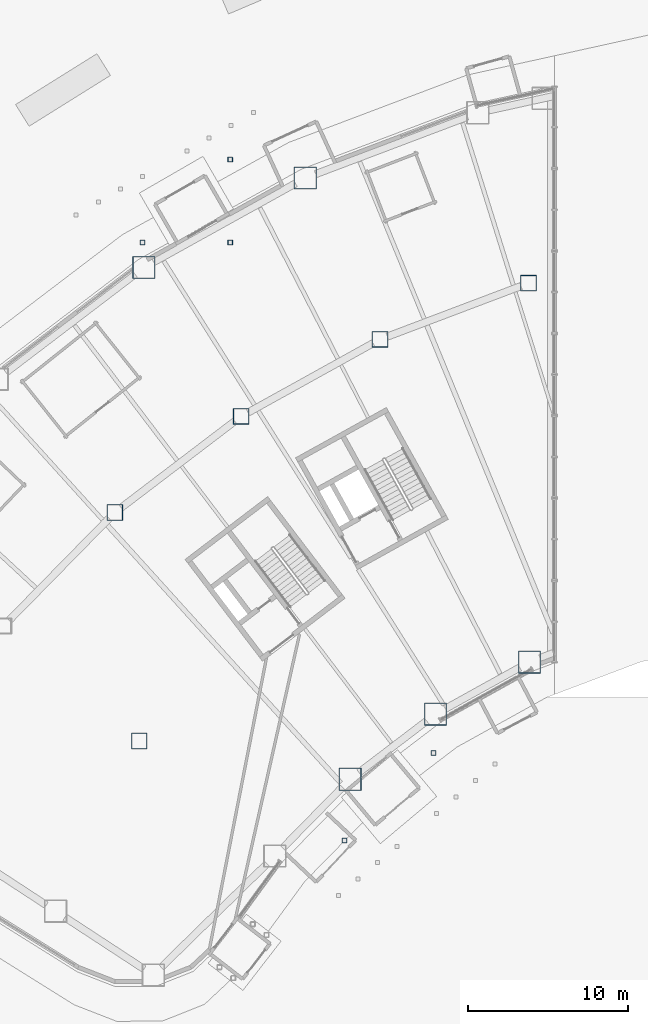
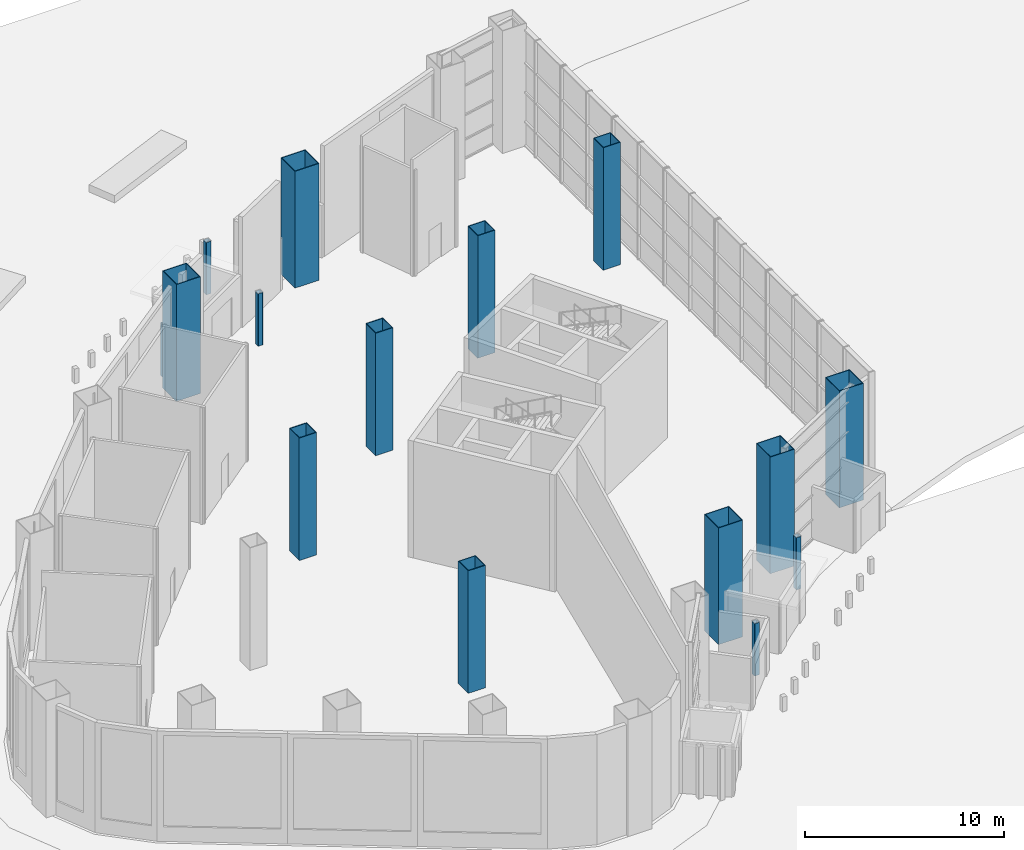
# One storey, part 5 of 45: 15 columns.
"""IFC4 building model written with IfcOpenShell, lengths in metres."""

import ifcopenshell
import ifcopenshell.guid

model = None  # the IFC model being written
_history = None  # IfcOwnerHistory: only IFC2X3 demands one
_inside = {}  # id of a spatial element -> (the spatial element, [elements in it])
_under = {}  # id of a project, library or spatial element -> (it, [spatial elements below it])
_declared = {}  # id of a project -> (the project, [libraries it declares])
_typed = {}  # id of a type object -> (the type object, [elements of that type])
_made_of = {}  # id of a material, layer set ... -> (it, [elements and type objects made of it])


def new_model(schema):
    """Start an empty IFC model of exactly this schema.

    Asked for "IFC4X3", IfcOpenShell would pick the latest addendum, in which some entities
    have other attributes; the version numbers below select the first issue.
    IFC2X3 requires an IfcOwnerHistory on every rooted entity: one is made here for all.
    """
    global model, _history
    if schema == "IFC4X3":
        model = ifcopenshell.file(schema_version=(4, 3, 0, 0))
    else:
        model = ifcopenshell.file(schema=schema)
    _inside.clear()
    _under.clear()
    _declared.clear()
    _typed.clear()
    _made_of.clear()
    _history = None
    if model.schema == "IFC2X3":
        org = make("IfcOrganization", Name="unknown")
        user = make(
            "IfcPersonAndOrganization",
            ThePerson=make("IfcPerson", FamilyName="unknown"),
            TheOrganization=org,
        )
        app = make(
            "IfcApplication",
            ApplicationDeveloper=org,
            Version="unknown",
            ApplicationFullName="unknown",
            ApplicationIdentifier="unknown",
        )
        _history = make(
            "IfcOwnerHistory",
            OwningUser=user,
            OwningApplication=app,
            ChangeAction="ADDED",
            CreationDate=0,
        )
    return model


def make(cls, **values):
    """One entity of the class cls with the attributes given. An attribute that is None is left unset."""
    return model.create_entity(
        cls, **{name: value for name, value in values.items() if value is not None}
    )


def rooted(cls, **values):
    """An entity with a GlobalId (a new one), such as an element, a storey or a relation."""
    return make(cls, GlobalId=ifcopenshell.guid.new(), OwnerHistory=_history, **values)


def si_unit(unit_type, name, prefix=None):
    """IfcSIUnit, for example si_unit("LENGTHUNIT", "METRE", prefix="MILLI")."""
    return make("IfcSIUnit", UnitType=unit_type, Prefix=prefix, Name=name)


def assignment(units):
    """IfcUnitAssignment: the units of a project."""
    return None if units is None else make("IfcUnitAssignment", Units=units)


def point(xyz):
    """IfcCartesianPoint."""
    return None if xyz is None else make("IfcCartesianPoint", Coordinates=xyz)


def direction(xyz):
    """IfcDirection."""
    return None if xyz is None else make("IfcDirection", DirectionRatios=xyz)


def frame(location, z_axis=None, x_axis=None):
    """IfcAxis2Placement3D, a coordinate frame: its origin and axes. An axis left out is left unset."""
    return make(
        "IfcAxis2Placement3D",
        Location=point(location),
        Axis=direction(z_axis),
        RefDirection=direction(x_axis),
    )


def frame_2d(location, x_axis=None):
    """IfcAxis2Placement2D, a coordinate frame in the plane: its origin and x axis."""
    return make(
        "IfcAxis2Placement2D", Location=point(location), RefDirection=direction(x_axis)
    )


def origin():
    """The frame at (0, 0, 0) with its axes left unset."""
    return frame((0.0, 0.0, 0.0))


def origin_2d():
    """The frame at (0, 0) in the plane with its x axis left unset."""
    return frame_2d((0.0, 0.0))


def place(relative_to, where):
    """IfcLocalPlacement: puts the frame where relative to a parent placement (None: the world)."""
    return make(
        "IfcLocalPlacement", PlacementRelTo=relative_to, RelativePlacement=where
    )


def context(
    kind, dimensions, precision=None, world=None, true_north=None, identifier=None
):
    """IfcGeometricRepresentationContext, for example the 3D "Model" context."""
    return make(
        "IfcGeometricRepresentationContext",
        ContextIdentifier=identifier,
        ContextType=kind,
        CoordinateSpaceDimension=dimensions,
        Precision=precision,
        WorldCoordinateSystem=world,
        TrueNorth=true_north,
    )


def subcontext(parent, identifier, kind, view, scale=None):
    """IfcGeometricRepresentationSubContext, for example "Body" below "Model"."""
    return make(
        "IfcGeometricRepresentationSubContext",
        ContextIdentifier=identifier,
        ContextType=kind,
        ParentContext=parent,
        TargetScale=scale,
        TargetView=view,
    )


def project(units=None, contexts=None):
    """IfcProject with its units and contexts."""
    return rooted(
        "IfcProject",
        Name="project",
        RepresentationContexts=contexts,
        UnitsInContext=assignment(units),
    )


def spatial(cls, under=None, at=None, **own):
    """A site, building, storey or space (cls), placed at a placement, below another one or the project."""
    s = rooted(cls, ObjectPlacement=at, **own)
    if under is not None:
        _under.setdefault(under.id(), (under, []))[1].append(s)
    return s


def profile(cls, at=None, kind="AREA", **sizes):
    """A parametric profile (cls). Its sizes go by their IFC names, for example OverallWidth=200.0."""
    return make(cls, ProfileType=kind, Position=at, **sizes)


def hollow_rectangle(**sizes):
    """IfcRectangleHollowProfileDef."""
    return profile("IfcRectangleHollowProfileDef", **sizes)


def extrude(swept, where, along, depth):
    """IfcExtrudedAreaSolid: the profile swept, set in the frame where, extruded along a direction by depth."""
    return make(
        "IfcExtrudedAreaSolid",
        SweptArea=swept,
        Position=where,
        ExtrudedDirection=direction(along),
        Depth=depth,
    )


def shape(context_of_items, identifier, shape_type, items):
    """IfcShapeRepresentation: the items that make up one representation, for example the "Body"."""
    return make(
        "IfcShapeRepresentation",
        ContextOfItems=context_of_items,
        RepresentationIdentifier=identifier,
        RepresentationType=shape_type,
        Items=items,
    )


def material(Name=None, Category=None):
    """IfcMaterial."""
    return make("IfcMaterial", Name=Name, Category=Category)


def material_profile(
    of_material, cross_section, Name=None, Category=None, Priority=None
):
    """IfcMaterialProfile: a cross section and its material."""
    return make(
        "IfcMaterialProfile",
        Name=Name,
        Material=of_material,
        Profile=cross_section,
        Priority=Priority,
        Category=Category,
    )


def profile_set(profiles, Name=None, composite=None):
    """IfcMaterialProfileSet."""
    return make(
        "IfcMaterialProfileSet",
        Name=Name,
        MaterialProfiles=profiles,
        CompositeProfile=composite,
    )


def made_of(thing, what):
    """Note that an element or type object is made of a material, layer set ...; save() writes the relation."""
    if what is not None:
        _made_of.setdefault(what.id(), (what, []))[1].append(thing)
    return thing


def type_object(cls, material=None, **own):
    """A type object (cls), such as IfcWallType, which elements share."""
    return made_of(rooted(cls, **own), material)


def element(
    cls,
    number,
    at=None,
    inside=None,
    cuts=None,
    type_object=None,
    material=None,
    context=None,
    identifier="Body",
    shape_type=None,
    held_by="IfcProductDefinitionShape",
    body=None,
    shapes=None,
    **own,
):
    """One element of the class cls, such as IfcWall. Its Tag is "e" and its number.

    at: its placement. inside: the storey or other place that contains it. cuts: it is an
    opening in that element (IfcRelVoidsElement). A single representation is given by context,
    identifier, shape_type and body (its items); several are given by shapes. held_by: the class
    of the entity that holds the representations. save() writes the other relations.
    """
    e = rooted(cls, Tag="e%d" % number, ObjectPlacement=at, **own)
    if body is not None:
        shapes = [shape(context, identifier, shape_type, body)]
    if shapes is not None:
        e.Representation = make(held_by, Representations=shapes)
    if inside is not None:
        _inside.setdefault(inside.id(), (inside, []))[1].append(e)
    if cuts is not None:
        rooted(
            "IfcRelVoidsElement", RelatingBuildingElement=cuts, RelatedOpeningElement=e
        )
    if type_object is not None:
        _typed.setdefault(type_object.id(), (type_object, []))[1].append(e)
    return made_of(e, material)


def aggregate(whole, parts):
    """IfcRelAggregates: a whole, such as a stair, and the parts it consists of."""
    return rooted("IfcRelAggregates", RelatingObject=whole, RelatedObjects=parts)


def save(model, path):
    """Write the relations noted so far, then the file.

    IfcRelAggregates (storeys below a building ...), IfcRelContainedInSpatialStructure (elements
    in a storey), IfcRelDefinesByType, IfcRelAssociatesMaterial and IfcRelDeclares: one each for
    every whole, place, type object, material and project.
    """
    for whole, parts in _under.values():
        aggregate(whole, parts)
    for where, things in _inside.values():
        rooted(
            "IfcRelContainedInSpatialStructure",
            RelatedElements=things,
            RelatingStructure=where,
        )
    for kind, things in _typed.values():
        rooted("IfcRelDefinesByType", RelatedObjects=things, RelatingType=kind)
    for what, things in _made_of.values():
        rooted("IfcRelAssociatesMaterial", RelatedObjects=things, RelatingMaterial=what)
    for by, libraries in _declared.values():
        rooted("IfcRelDeclares", RelatingContext=by, RelatedDefinitions=libraries)
    model.write(path)


model = new_model("IFC4")

# Units and contexts
model_context = context("Model", 3, precision=1e-05, world=origin(), true_north=direction((0.0, 1.0)))
body_context = subcontext(model_context, "Body", "Model", "MODEL_VIEW")
ifc_project = project(units=[si_unit("LENGTHUNIT", "METRE"), si_unit("AREAUNIT", "SQUARE_METRE"), si_unit("VOLUMEUNIT", "CUBIC_METRE"), si_unit("PLANEANGLEUNIT", "RADIAN"), si_unit("MASSUNIT", "GRAM", prefix="KILO")], contexts=[model_context])

# Site, building, storey
site_placement = place(None, origin())
site = spatial("IfcSite", under=ifc_project, at=site_placement, CompositionType="ELEMENT")
building_placement = place(site_placement, origin())
building = spatial("IfcBuilding", under=site, at=building_placement, Name="Tuul Gate Civic Tower", CompositionType="ELEMENT")
storey_placement = place(building_placement, origin())
storey = spatial("IfcBuildingStorey", under=building, at=storey_placement, Name="Level 00", CompositionType="ELEMENT", Elevation=0.0)

# Columns
ifc_material_1 = material(Name="Steel S355", Category="steel")
ifc_material_profile_1 = material_profile(ifc_material_1, hollow_rectangle(XDim=1.0, YDim=1.0, WallThickness=0.0400390625, at=origin_2d()), Name="BOX1000x1000x40")
ifc_profile_set_1 = profile_set([ifc_material_profile_1], Name="Steel S355")
column_type_1 = type_object("IfcColumnType", Name="STR-COLUMN-BOX1000x1000x40", PredefinedType="COLUMN", material=ifc_profile_set_1)
for number, where, z_axis, x_axis, name in (
    (1, (-45.513916015625, -8.42626953125, 0.0), (0.0, 0.0, 1.0), (1.0, 0.0, 0.0), "Interior column"),
    (2, (-37.606689453125, -2.40576171875, 0.0), (0.0, 0.0, 1.0), (1.0, 0.0, 0.0), "Interior column"),
    (3, (-28.9140625, 2.4130859375, 0.0), (0.0, 0.0, 1.0), (1.0, 0.0, 0.0), "Interior column"),
    (4, (-19.617919921875, 5.927978515625, 0.0), (0.0, 0.0, 1.0), (1.0, 0.0, 0.0), "Interior column"),
    (5, (-43.981689453125, -22.719970703125, 0.0), (0.0, 0.0, 1.0), (1.0, 0.0, 0.0), "Interior column"),
):
    element("IfcColumn", number, at=place(storey_placement, frame(where, z_axis=z_axis, x_axis=x_axis)), inside=storey, type_object=column_type_1, Name=name, PredefinedType="COLUMN", context=body_context, shape_type="SweptSolid", body=[
        extrude(hollow_rectangle(XDim=1.0, YDim=1.0, WallThickness=0.0400390625, at=origin_2d()), origin(), (0.0, 0.0, 1.0), 7.5),
    ])
ifc_material_2 = material(Name="Steel S355", Category="steel")
ifc_material_profile_2 = material_profile(ifc_material_2, hollow_rectangle(XDim=1.39990234375, YDim=1.39990234375, WallThickness=0.0400390625, at=origin_2d()), Name="BOX1400x1400x40")
ifc_profile_set_2 = profile_set([ifc_material_profile_2], Name="Steel S355")
column_type_2 = type_object("IfcColumnType", Name="STR-COLUMN-BOX1400x1400x40", PredefinedType="COLUMN", material=ifc_profile_set_2)
for number, where, z_axis, x_axis, name in (
    (6, (-19.55810546875, -17.782958984375, 0.0), (0.0, 0.0, 1.0), (1.0, 0.0, 0.0), "Arch jamb column"),
    (7, (-33.592041015625, 12.510986328125, 0.0), (0.0, 0.0, 1.0), (1.0, 0.0, 0.0), "Column"),
    (8, (-43.69091796875, 6.9130859375, 0.0), (0.0, 0.0, 1.0), (1.0, 0.0, 0.0), "Column"),
    (9, (-30.785888671875, -25.114990234375, 0.0), (0.0, 0.0, 1.0), (1.0, 0.0, 0.0), "Column"),
    (10, (-25.43798828125, -21.04296875, 0.0), (0.0, 0.0, 1.0), (1.0, 0.0, 0.0), "Column"),
):
    element("IfcColumn", number, at=place(storey_placement, frame(where, z_axis=z_axis, x_axis=x_axis)), inside=storey, type_object=column_type_2, Name=name, PredefinedType="COLUMN", context=body_context, shape_type="SweptSolid", body=[
        extrude(hollow_rectangle(XDim=1.39990234375, YDim=1.39990234375, WallThickness=0.0400390625, at=origin_2d()), origin(), (0.0, 0.0, 1.0), 7.14990234375),
    ])
ifc_material_3 = material(Name="Steel S355", Category="steel")
ifc_material_profile_3 = material_profile(ifc_material_3, hollow_rectangle(XDim=0.300048828125, YDim=0.300048828125, WallThickness=0.01611328125, InnerFilletRadius=0.01611328125, OuterFilletRadius=0.0400390625, at=origin_2d()), Name="SHS300x300x16")
ifc_profile_set_3 = profile_set([ifc_material_profile_3], Name="Steel S355")
column_type_3 = type_object("IfcColumnType", Name="STR-COLUMN-SHS300x300x16", PredefinedType="COLUMN", material=ifc_profile_set_3)
for number, where, z_axis, x_axis, name in (
    (11, (-31.134765625, -28.94580078125, 0.0), (0.0, 0.0, 1.0), (1.0, 0.0, 0.0), "Canopy post"),
    (12, (-25.568359375, -23.477783203125, 0.0), (0.0, 0.0, 1.0), (1.0, 0.0, 0.0), "Canopy post"),
    (13, (-43.775634765625, 8.477294921875, 0.0), (0.0, 0.0, 1.0), (1.0, 0.0, 0.0), "Canopy post"),
    (14, (-38.2919921875, 8.477294921875, 0.0), (0.0, 0.0, 1.0), (1.0, 0.0, 0.0), "Canopy post"),
    (15, (-38.2919921875, 13.668212890625, 0.0), (0.0, 0.0, 1.0), (1.0, 0.0, 0.0), "Canopy post"),
):
    element("IfcColumn", number, at=place(storey_placement, frame(where, z_axis=z_axis, x_axis=x_axis)), inside=storey, type_object=column_type_3, Name=name, PredefinedType="COLUMN", context=body_context, shape_type="SweptSolid", body=[
        extrude(hollow_rectangle(XDim=0.300048828125, YDim=0.300048828125, WallThickness=0.01611328125, InnerFilletRadius=0.01611328125, OuterFilletRadius=0.0400390625, at=origin_2d()), origin(), (0.0, 0.0, 1.0), 3.199951171875),
    ])

save(model, "model.ifc")
